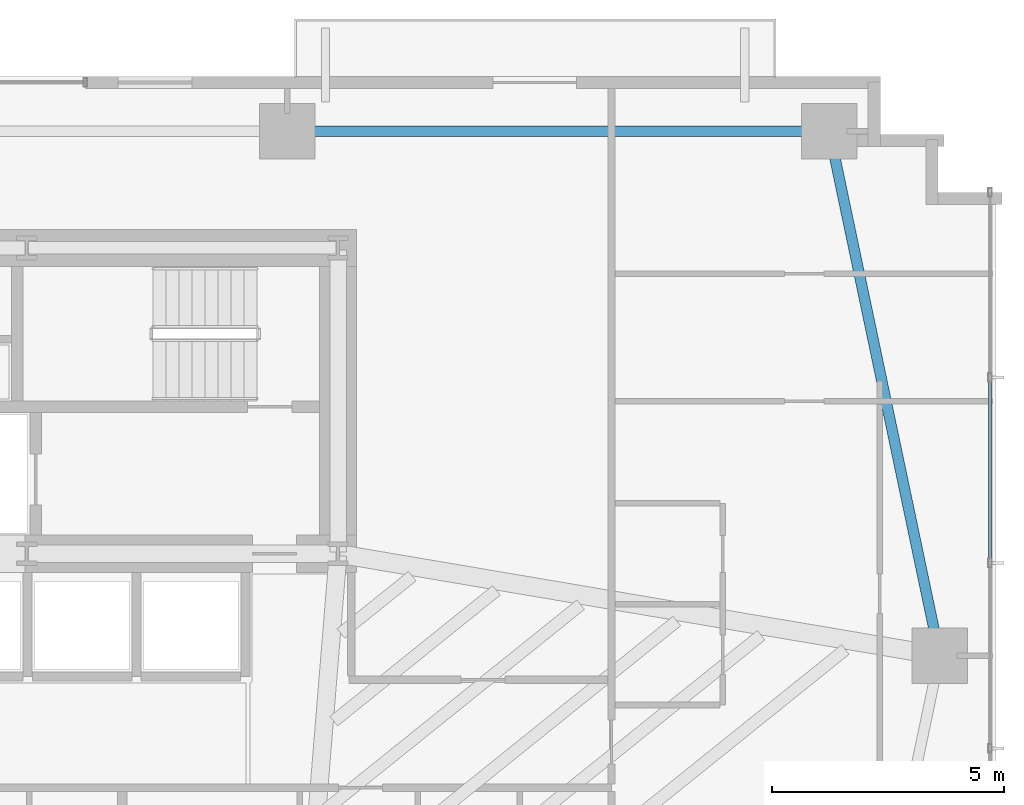
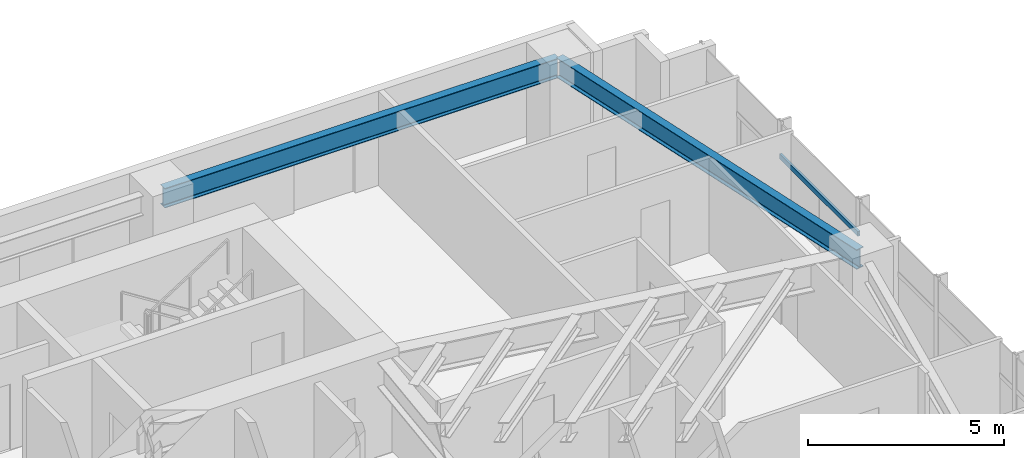
# One storey, part 16 of 25: 2 beams, 1 member, 1 element without a shape of its own.
"""IFC4 building model written with IfcOpenShell, lengths in metres."""

from ifc_helpers import new_model, si_unit, direction, frame, origin, origin_2d, place, context, subcontext, project, spatial, hollow_rectangle, i_section, extrude, source, transform, mapped, material, material_profile, profile_set, type_object, type_shapes, element, aggregate, save


model = new_model("IFC4")

# Units and contexts
model_context = context("Model", 3, precision=1e-05, world=origin(), true_north=direction((0.0, 1.0)))
body_context = subcontext(model_context, "Body", "Model", "MODEL_VIEW")
ifc_project = project(units=[si_unit("LENGTHUNIT", "METRE"), si_unit("AREAUNIT", "SQUARE_METRE"), si_unit("VOLUMEUNIT", "CUBIC_METRE"), si_unit("PLANEANGLEUNIT", "RADIAN"), si_unit("MASSUNIT", "GRAM", prefix="KILO")], contexts=[model_context])

# Site, building, storey
site_placement = place(None, origin())
site = spatial("IfcSite", under=ifc_project, at=site_placement, CompositionType="ELEMENT")
building_placement = place(site_placement, origin())
building = spatial("IfcBuilding", under=site, at=building_placement, Name="Astriad Promenade Condominiums", CompositionType="ELEMENT")
storey_placement = place(building_placement, frame((0.0, 0.0, 58.199951171875)))
storey = spatial("IfcBuildingStorey", under=building, at=storey_placement, Name="L16", CompositionType="ELEMENT", Elevation=58.199951171875)

# Beams
ifc_material_1 = material(Name="Steel ASTM A992 Grade 50", Category="steel")
ifc_material_profile_1 = material_profile(ifc_material_1, i_section(OverallWidth=0.22900390625, OverallDepth=0.612060546875, WebThickness=0.011962890625, FlangeThickness=0.01953125, FilletRadius=0.017822265625, at=origin_2d()), Name="W24X84")
ifc_profile_set_1 = profile_set([ifc_material_profile_1], Name="Steel ASTM A992 Grade 50")
beam_type = type_object("IfcBeamType", Name="STEEL SPANDREL BEAM W24X84", PredefinedType="SPANDREL", material=ifc_profile_set_1)
shared_shape_1 = source(origin(), body_context, "Body", "SweptSolid", [
    extrude(i_section(OverallWidth=0.22900390625, OverallDepth=0.612060546875, WebThickness=0.011962890625, FlangeThickness=0.01953125, FilletRadius=0.017822265625, at=origin_2d()), origin(), (0.0, 0.0, 1.0), 11.619873046875),
])
beam_1_placement = place(storey_placement, frame((56.159912109375, 26.52001953125, 2.634033203125), z_axis=(-1.0, 0.0, 0.0), x_axis=(0.0, -1.0, 0.0)))
element("IfcBeam", 1, at=beam_1_placement, inside=storey, type_object=beam_type, Name="Perimeter Spandrel Beam SP-N4-L16", PredefinedType="SPANDREL", context=body_context, shape_type="MappedRepresentation", body=[
    mapped(shared_shape_1, transform((0.0, 0.0, 0.0), scale=1.0)),
])
shared_shape_2 = source(origin(), body_context, "Body", "SweptSolid", [
    extrude(i_section(OverallWidth=0.22900390625, OverallDepth=0.612060546875, WebThickness=0.011962890625, FlangeThickness=0.01953125, FilletRadius=0.017822265625, at=origin_2d()), origin(), (0.0, 0.0, 1.0), 11.48779296875),
])
type_shapes(beam_type, [shared_shape_1, shared_shape_2])
beam_2_placement = place(storey_placement, frame((58.57177734375, 15.239013671875, 2.634033203125), z_axis=(-0.205743776427, 0.978605895374, 0.0), x_axis=(-0.978605895374, -0.205743776427, 0.0)))
element("IfcBeam", 2, at=beam_2_placement, inside=storey, type_object=beam_type, Name="Perimeter Spandrel Beam SP-E2-L16", PredefinedType="SPANDREL", context=body_context, shape_type="MappedRepresentation", body=[
    mapped(shared_shape_2, transform((0.0, 0.0, 0.0), scale=1.0)),
])

# Curtain wall, member
ifc_material_2 = material(Name="Anodised aluminium Black Dark Glass Unitised", Category="aluminium")
curtain_wall_type = type_object("IfcCurtainWallType", Name="CW-B1-DARK", PredefinedType="USERDEFINED", material=ifc_material_2)
curtain_wall_placement = place(storey_placement, origin())
curtain_wall = element("IfcCurtainWall", 3, at=curtain_wall_placement, inside=storey, type_object=curtain_wall_type, Name="CW-L16-E", ObjectType="UNITISED_CURTAIN_WALL", PredefinedType="USERDEFINED")
ifc_material_3 = material(Name="Anodised aluminium 6063-T6 Black", Category="aluminium")
ifc_material_profile_2 = material_profile(ifc_material_3, hollow_rectangle(XDim=0.074951171875, YDim=0.14990234375, WallThickness=0.004150390625, at=origin_2d()), Name="ALU-TRN-75X150")
ifc_profile_set_2 = profile_set([ifc_material_profile_2], Name="Anodised aluminium 6063-T6 Black")
member_type = type_object("IfcMemberType", Name="TRN-ALU-TRN-75X150", PredefinedType="USERDEFINED", material=ifc_profile_set_2)
shared_shape_3 = source(origin(), body_context, "Body", "SweptSolid", [
    extrude(hollow_rectangle(XDim=0.074951171875, YDim=0.14990234375, WallThickness=0.004150390625, at=origin_2d()), origin(), (0.0, 0.0, 1.0), 4.0),
])
type_shapes(member_type, [shared_shape_3])
member_placement = place(storey_placement, frame((59.669921875, 21.199951171875, 1.82275390625), z_axis=(0.0, -1.0, 0.0), x_axis=(1.0, 0.0, 0.0)))
member = element("IfcMember", 4, at=member_placement, type_object=member_type, Name="CW-L16-E-TRN-01-0", ObjectType="TRANSOM", PredefinedType="USERDEFINED", context=body_context, shape_type="MappedRepresentation", body=[
    mapped(shared_shape_3, transform((0.0, 0.0, 0.0), scale=1.0)),
])
aggregate(curtain_wall, [member])

save(model, "model.ifc")
